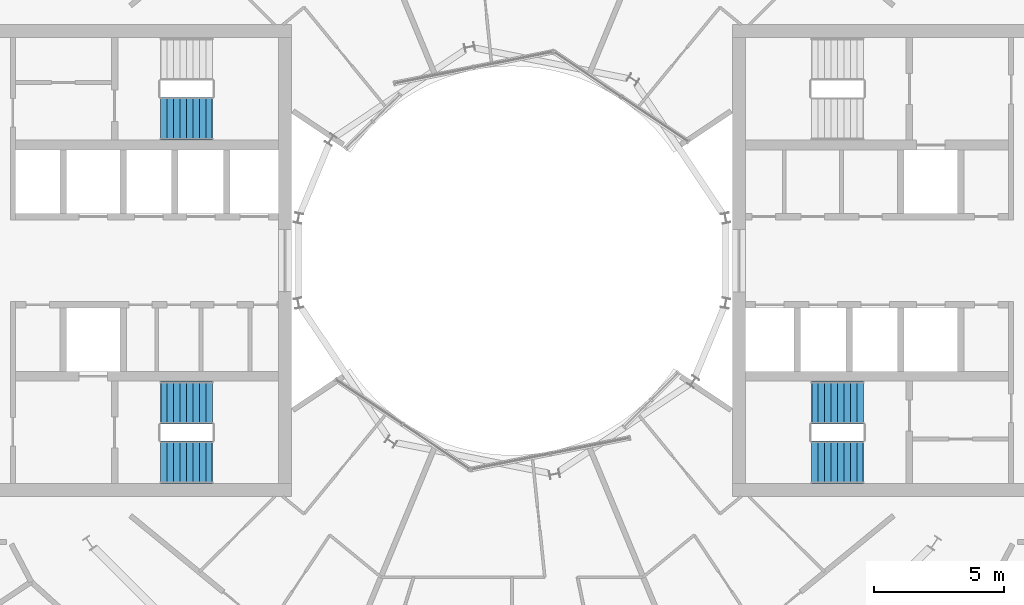
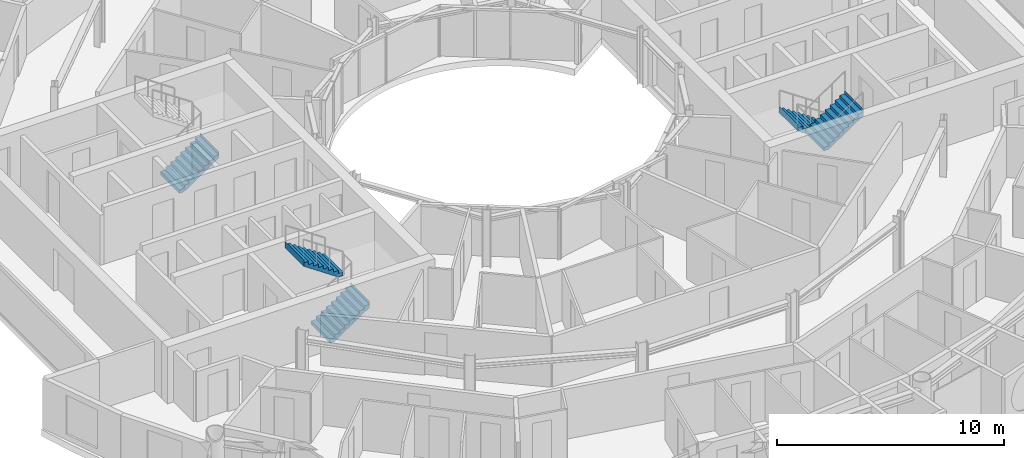
# One storey, part 25 of 28: 5 stair flights, 3 elements without a shape of their own.
"""IFC4 building model written with IfcOpenShell, lengths in metres."""

from ifc_helpers import new_model, si_unit, direction, frame, origin, place, context, subcontext, project, spatial, triangles, material, type_object, element, aggregate, save


model = new_model("IFC4")

# Units and contexts
model_context = context("Model", 3, precision=1e-05, world=origin(), true_north=direction((0.0, 1.0)))
body_context = subcontext(model_context, "Body", "Model", "MODEL_VIEW")
ifc_project = project(units=[si_unit("LENGTHUNIT", "METRE"), si_unit("AREAUNIT", "SQUARE_METRE"), si_unit("VOLUMEUNIT", "CUBIC_METRE"), si_unit("PLANEANGLEUNIT", "RADIAN"), si_unit("MASSUNIT", "GRAM", prefix="KILO")], contexts=[model_context])

# Site, building, storey
site_placement = place(None, origin())
site = spatial("IfcSite", under=ifc_project, at=site_placement, CompositionType="ELEMENT")
building_placement = place(site_placement, origin())
building = spatial("IfcBuilding", under=site, at=building_placement, Name="Maasbend Ring Residences", CompositionType="ELEMENT")
storey_placement = place(building_placement, frame((0.0, 0.0, 173.800048828125)))
storey = spatial("IfcBuildingStorey", under=building, at=storey_placement, Name="L50", CompositionType="ELEMENT", Elevation=173.800048828125)

# Stair, stair flights
ifc_material_1 = material(Name="Concrete C40/50", Category="concrete")
stair_type = type_object("IfcStairType", Name="CORE STAIR 18 RISERS", PredefinedType="HALF_TURN_STAIR", material=ifc_material_1)
stair_1_placement = place(storey_placement, origin())
stair_1 = element("IfcStair", 1, at=stair_1_placement, inside=storey, type_object=stair_type, Name="L50 Exit stair ST-E2", PredefinedType="HALF_TURN_STAIR")
ifc_material_2 = material(Name="Concrete C40/50", Category="concrete")
stair_flight_type = type_object("IfcStairFlightType", Name="CORE STAIR FLIGHT 1650", PredefinedType="STRAIGHT", material=ifc_material_2)
stair_flight_1_placement = place(storey_placement, frame((13.550048828125, -5.47509765625, 0.0), z_axis=(0.0, 0.0, 1.0), x_axis=(-1.0, 0.0, 0.0)))
stair_flight_1 = element("IfcStairFlight", 2, at=stair_flight_1_placement, type_object=stair_flight_type, Name="ST-E2 flight 1", NumberOfRisers=9, NumberOfTreads=8, PredefinedType="STRAIGHT", RiserHeight=0.169444444, TreadLength=0.25, context=body_context, shape_type="Tessellation", body=[
    triangles([(0.24072265625, 0.824951171875, -0.02001953125), (2.0029296875, 0.824951171875, 1.174560546875), (2.0029296875, 0.824951171875, 1.52490234375), (1.989990234375, 0.824951171875, 1.35546875), (1.75, 0.824951171875, 1.35546875), (1.75, 0.824951171875, 1.18603515625), (1.5, 0.824951171875, 1.18603515625), (1.5, 0.824951171875, 1.0166015625), (1.25, 0.824951171875, 1.0166015625), (1.25, 0.824951171875, 0.84716796875), (1.0, 0.824951171875, 0.84716796875), (1.0, 0.824951171875, 0.677734375), (0.75, 0.824951171875, 0.677734375), (0.75, 0.824951171875, 0.50830078125), (0.5, 0.824951171875, 0.50830078125), (0.5, 0.824951171875, 0.3388671875), (0.25, 0.824951171875, 0.3388671875), (0.25, 0.824951171875, 0.16943359375), (0.0, 0.824951171875, 0.16943359375), (0.0, 0.824951171875, 0.0), (-0.0029296875, 0.824951171875, 0.0), (-0.0029296875, 0.824951171875, -0.02001953125), (0.24072265625, 0.27490234375, -0.02001953125), (2.0029296875, 0.27490234375, 1.174560546875), (2.0029296875, 0.27490234375, 1.52490234375), (1.989990234375, 0.27490234375, 1.35546875), (1.75, 0.27490234375, 1.35546875), (1.75, 0.27490234375, 1.18603515625), (1.5, 0.27490234375, 1.18603515625), (1.5, 0.27490234375, 1.0166015625), (1.25, 0.27490234375, 1.0166015625), (1.25, 0.27490234375, 0.84716796875), (1.0, 0.27490234375, 0.84716796875), (1.0, 0.27490234375, 0.677734375), (0.75, 0.27490234375, 0.677734375), (0.75, 0.27490234375, 0.50830078125), (0.5, 0.27490234375, 0.50830078125), (0.5, 0.27490234375, 0.3388671875), (0.25, 0.27490234375, 0.3388671875), (0.25, 0.27490234375, 0.16943359375), (0.0, 0.27490234375, 0.16943359375), (0.0, 0.27490234375, 0.0), (-0.0029296875, 0.27490234375, 0.0), (-0.0029296875, 0.27490234375, -0.02001953125), (0.24072265625, -0.27490234375, -0.02001953125), (2.0029296875, -0.27490234375, 1.174560546875), (2.0029296875, -0.27490234375, 1.52490234375), (1.989990234375, -0.27490234375, 1.35546875), (1.75, -0.27490234375, 1.35546875), (1.75, -0.27490234375, 1.18603515625), (1.5, -0.27490234375, 1.18603515625), (1.5, -0.27490234375, 1.0166015625), (1.25, -0.27490234375, 1.0166015625), (1.25, -0.27490234375, 0.84716796875), (1.0, -0.27490234375, 0.84716796875), (1.0, -0.27490234375, 0.677734375), (0.75, -0.27490234375, 0.677734375), (0.75, -0.27490234375, 0.50830078125), (0.5, -0.27490234375, 0.50830078125), (0.5, -0.27490234375, 0.3388671875), (0.25, -0.27490234375, 0.3388671875), (0.25, -0.27490234375, 0.16943359375), (0.0, -0.27490234375, 0.16943359375), (0.0, -0.27490234375, 0.0), (-0.0029296875, -0.27490234375, 0.0), (-0.0029296875, -0.27490234375, -0.02001953125), (0.24072265625, -0.824951171875, -0.02001953125), (2.0029296875, -0.824951171875, 1.174560546875), (2.0029296875, -0.824951171875, 1.52490234375), (1.989990234375, -0.824951171875, 1.35546875), (1.75, -0.824951171875, 1.35546875), (1.75, -0.824951171875, 1.18603515625), (1.5, -0.824951171875, 1.18603515625), (1.5, -0.824951171875, 1.0166015625), (1.25, -0.824951171875, 1.0166015625), (1.25, -0.824951171875, 0.84716796875), (1.0, -0.824951171875, 0.84716796875), (1.0, -0.824951171875, 0.677734375), (0.75, -0.824951171875, 0.677734375), (0.75, -0.824951171875, 0.50830078125), (0.5, -0.824951171875, 0.50830078125), (0.5, -0.824951171875, 0.3388671875), (0.25, -0.824951171875, 0.3388671875), (0.25, -0.824951171875, 0.16943359375), (0.0, -0.824951171875, 0.16943359375), (0.0, -0.824951171875, 0.0), (-0.0029296875, -0.824951171875, 0.0), (-0.0029296875, -0.824951171875, -0.02001953125)], [[1, 2, 24], [1, 24, 23], [23, 24, 46], [23, 46, 45], [45, 46, 68], [45, 68, 67], [2, 3, 25], [2, 25, 24], [24, 25, 47], [24, 47, 46], [46, 47, 69], [46, 69, 68], [3, 4, 26], [3, 26, 25], [25, 26, 48], [25, 48, 47], [47, 48, 70], [47, 70, 69], [4, 5, 27], [4, 27, 26], [26, 27, 49], [26, 49, 48], [48, 49, 71], [48, 71, 70], [5, 6, 28], [5, 28, 27], [27, 28, 50], [27, 50, 49], [49, 50, 72], [49, 72, 71], [6, 7, 29], [6, 29, 28], [28, 29, 51], [28, 51, 50], [50, 51, 73], [50, 73, 72], [7, 8, 30], [7, 30, 29], [29, 30, 52], [29, 52, 51], [51, 52, 74], [51, 74, 73], [8, 9, 31], [8, 31, 30], [30, 31, 53], [30, 53, 52], [52, 53, 75], [52, 75, 74], [9, 10, 32], [9, 32, 31], [31, 32, 54], [31, 54, 53], [53, 54, 76], [53, 76, 75], [10, 11, 33], [10, 33, 32], [32, 33, 55], [32, 55, 54], [54, 55, 77], [54, 77, 76], [11, 12, 34], [11, 34, 33], [33, 34, 56], [33, 56, 55], [55, 56, 78], [55, 78, 77], [12, 13, 35], [12, 35, 34], [34, 35, 57], [34, 57, 56], [56, 57, 79], [56, 79, 78], [13, 14, 36], [13, 36, 35], [35, 36, 58], [35, 58, 57], [57, 58, 80], [57, 80, 79], [14, 15, 37], [14, 37, 36], [36, 37, 59], [36, 59, 58], [58, 59, 81], [58, 81, 80], [15, 16, 38], [15, 38, 37], [37, 38, 60], [37, 60, 59], [59, 60, 82], [59, 82, 81], [16, 17, 39], [16, 39, 38], [38, 39, 61], [38, 61, 60], [60, 61, 83], [60, 83, 82], [17, 18, 40], [17, 40, 39], [39, 40, 62], [39, 62, 61], [61, 62, 84], [61, 84, 83], [18, 19, 41], [18, 41, 40], [40, 41, 63], [40, 63, 62], [62, 63, 85], [62, 85, 84], [19, 20, 42], [19, 42, 41], [41, 42, 64], [41, 64, 63], [63, 64, 86], [63, 86, 85], [20, 21, 43], [20, 43, 42], [42, 43, 65], [42, 65, 64], [64, 65, 87], [64, 87, 86], [21, 22, 44], [21, 44, 43], [43, 44, 66], [43, 66, 65], [65, 66, 88], [65, 88, 87], [22, 1, 23], [22, 23, 44], [44, 23, 45], [44, 45, 66], [66, 45, 67], [66, 67, 88], [22, 2, 1], [2, 4, 3], [2, 5, 4], [2, 6, 5], [22, 6, 2], [6, 8, 7], [22, 8, 6], [8, 10, 9], [22, 10, 8], [10, 12, 11], [22, 12, 10], [12, 14, 13], [22, 14, 12], [14, 16, 15], [22, 16, 14], [16, 18, 17], [22, 18, 16], [18, 20, 19], [22, 20, 18], [20, 22, 21], [88, 67, 68], [68, 69, 70], [68, 70, 71], [68, 71, 72], [88, 68, 72], [72, 73, 74], [88, 72, 74], [74, 75, 76], [88, 74, 76], [76, 77, 78], [88, 76, 78], [78, 79, 80], [88, 78, 80], [80, 81, 82], [88, 80, 82], [82, 83, 84], [88, 82, 84], [84, 85, 86], [88, 84, 86], [86, 87, 88]], closed=True),
])
stair_flight_2_placement = place(storey_placement, frame((11.550048828125, -7.77490234375, 1.52490234375), z_axis=(0.0, 0.0, 1.0), x_axis=(1.0, 0.0, 0.0)))
stair_flight_2 = element("IfcStairFlight", 3, at=stair_flight_2_placement, type_object=stair_flight_type, Name="ST-E2 flight 2", NumberOfRisers=9, NumberOfTreads=8, PredefinedType="STRAIGHT", RiserHeight=0.169444444, TreadLength=0.25, context=body_context, shape_type="Tessellation", body=[
    triangles([(0.24072265625, 0.824951171875, -0.02001953125), (2.0029296875, 0.824951171875, 1.174560546875), (2.0029296875, 0.824951171875, 1.52490234375), (1.989990234375, 0.824951171875, 1.35546875), (1.75, 0.824951171875, 1.35546875), (1.75, 0.824951171875, 1.18603515625), (1.5, 0.824951171875, 1.18603515625), (1.5, 0.824951171875, 1.0166015625), (1.25, 0.824951171875, 1.0166015625), (1.25, 0.824951171875, 0.84716796875), (1.0, 0.824951171875, 0.84716796875), (1.0, 0.824951171875, 0.677734375), (0.75, 0.824951171875, 0.677734375), (0.75, 0.824951171875, 0.50830078125), (0.5, 0.824951171875, 0.50830078125), (0.5, 0.824951171875, 0.3388671875), (0.25, 0.824951171875, 0.3388671875), (0.25, 0.824951171875, 0.16943359375), (0.0, 0.824951171875, 0.16943359375), (0.0, 0.824951171875, 0.0), (-0.0029296875, 0.824951171875, 0.0), (-0.0029296875, 0.824951171875, -0.02001953125), (0.24072265625, 0.27490234375, -0.02001953125), (2.0029296875, 0.27490234375, 1.174560546875), (2.0029296875, 0.27490234375, 1.52490234375), (1.989990234375, 0.27490234375, 1.35546875), (1.75, 0.27490234375, 1.35546875), (1.75, 0.27490234375, 1.18603515625), (1.5, 0.27490234375, 1.18603515625), (1.5, 0.27490234375, 1.0166015625), (1.25, 0.27490234375, 1.0166015625), (1.25, 0.27490234375, 0.84716796875), (1.0, 0.27490234375, 0.84716796875), (1.0, 0.27490234375, 0.677734375), (0.75, 0.27490234375, 0.677734375), (0.75, 0.27490234375, 0.50830078125), (0.5, 0.27490234375, 0.50830078125), (0.5, 0.27490234375, 0.3388671875), (0.25, 0.27490234375, 0.3388671875), (0.25, 0.27490234375, 0.16943359375), (0.0, 0.27490234375, 0.16943359375), (0.0, 0.27490234375, 0.0), (-0.0029296875, 0.27490234375, 0.0), (-0.0029296875, 0.27490234375, -0.02001953125), (0.24072265625, -0.27490234375, -0.02001953125), (2.0029296875, -0.27490234375, 1.174560546875), (2.0029296875, -0.27490234375, 1.52490234375), (1.989990234375, -0.27490234375, 1.35546875), (1.75, -0.27490234375, 1.35546875), (1.75, -0.27490234375, 1.18603515625), (1.5, -0.27490234375, 1.18603515625), (1.5, -0.27490234375, 1.0166015625), (1.25, -0.27490234375, 1.0166015625), (1.25, -0.27490234375, 0.84716796875), (1.0, -0.27490234375, 0.84716796875), (1.0, -0.27490234375, 0.677734375), (0.75, -0.27490234375, 0.677734375), (0.75, -0.27490234375, 0.50830078125), (0.5, -0.27490234375, 0.50830078125), (0.5, -0.27490234375, 0.3388671875), (0.25, -0.27490234375, 0.3388671875), (0.25, -0.27490234375, 0.16943359375), (0.0, -0.27490234375, 0.16943359375), (0.0, -0.27490234375, 0.0), (-0.0029296875, -0.27490234375, 0.0), (-0.0029296875, -0.27490234375, -0.02001953125), (0.24072265625, -0.824951171875, -0.02001953125), (2.0029296875, -0.824951171875, 1.174560546875), (2.0029296875, -0.824951171875, 1.52490234375), (1.989990234375, -0.824951171875, 1.35546875), (1.75, -0.824951171875, 1.35546875), (1.75, -0.824951171875, 1.18603515625), (1.5, -0.824951171875, 1.18603515625), (1.5, -0.824951171875, 1.0166015625), (1.25, -0.824951171875, 1.0166015625), (1.25, -0.824951171875, 0.84716796875), (1.0, -0.824951171875, 0.84716796875), (1.0, -0.824951171875, 0.677734375), (0.75, -0.824951171875, 0.677734375), (0.75, -0.824951171875, 0.50830078125), (0.5, -0.824951171875, 0.50830078125), (0.5, -0.824951171875, 0.3388671875), (0.25, -0.824951171875, 0.3388671875), (0.25, -0.824951171875, 0.16943359375), (0.0, -0.824951171875, 0.16943359375), (0.0, -0.824951171875, 0.0), (-0.0029296875, -0.824951171875, 0.0), (-0.0029296875, -0.824951171875, -0.02001953125)], [[1, 2, 24], [1, 24, 23], [23, 24, 46], [23, 46, 45], [45, 46, 68], [45, 68, 67], [2, 3, 25], [2, 25, 24], [24, 25, 47], [24, 47, 46], [46, 47, 69], [46, 69, 68], [3, 4, 26], [3, 26, 25], [25, 26, 48], [25, 48, 47], [47, 48, 70], [47, 70, 69], [4, 5, 27], [4, 27, 26], [26, 27, 49], [26, 49, 48], [48, 49, 71], [48, 71, 70], [5, 6, 28], [5, 28, 27], [27, 28, 50], [27, 50, 49], [49, 50, 72], [49, 72, 71], [6, 7, 29], [6, 29, 28], [28, 29, 51], [28, 51, 50], [50, 51, 73], [50, 73, 72], [7, 8, 30], [7, 30, 29], [29, 30, 52], [29, 52, 51], [51, 52, 74], [51, 74, 73], [8, 9, 31], [8, 31, 30], [30, 31, 53], [30, 53, 52], [52, 53, 75], [52, 75, 74], [9, 10, 32], [9, 32, 31], [31, 32, 54], [31, 54, 53], [53, 54, 76], [53, 76, 75], [10, 11, 33], [10, 33, 32], [32, 33, 55], [32, 55, 54], [54, 55, 77], [54, 77, 76], [11, 12, 34], [11, 34, 33], [33, 34, 56], [33, 56, 55], [55, 56, 78], [55, 78, 77], [12, 13, 35], [12, 35, 34], [34, 35, 57], [34, 57, 56], [56, 57, 79], [56, 79, 78], [13, 14, 36], [13, 36, 35], [35, 36, 58], [35, 58, 57], [57, 58, 80], [57, 80, 79], [14, 15, 37], [14, 37, 36], [36, 37, 59], [36, 59, 58], [58, 59, 81], [58, 81, 80], [15, 16, 38], [15, 38, 37], [37, 38, 60], [37, 60, 59], [59, 60, 82], [59, 82, 81], [16, 17, 39], [16, 39, 38], [38, 39, 61], [38, 61, 60], [60, 61, 83], [60, 83, 82], [17, 18, 40], [17, 40, 39], [39, 40, 62], [39, 62, 61], [61, 62, 84], [61, 84, 83], [18, 19, 41], [18, 41, 40], [40, 41, 63], [40, 63, 62], [62, 63, 85], [62, 85, 84], [19, 20, 42], [19, 42, 41], [41, 42, 64], [41, 64, 63], [63, 64, 86], [63, 86, 85], [20, 21, 43], [20, 43, 42], [42, 43, 65], [42, 65, 64], [64, 65, 87], [64, 87, 86], [21, 22, 44], [21, 44, 43], [43, 44, 66], [43, 66, 65], [65, 66, 88], [65, 88, 87], [22, 1, 23], [22, 23, 44], [44, 23, 45], [44, 45, 66], [66, 45, 67], [66, 67, 88], [22, 2, 1], [2, 4, 3], [2, 5, 4], [2, 6, 5], [22, 6, 2], [6, 8, 7], [22, 8, 6], [8, 10, 9], [22, 10, 8], [10, 12, 11], [22, 12, 10], [12, 14, 13], [22, 14, 12], [14, 16, 15], [22, 16, 14], [16, 18, 17], [22, 18, 16], [18, 20, 19], [22, 20, 18], [20, 22, 21], [88, 67, 68], [68, 69, 70], [68, 70, 71], [68, 71, 72], [88, 68, 72], [72, 73, 74], [88, 72, 74], [74, 75, 76], [88, 74, 76], [76, 77, 78], [88, 76, 78], [78, 79, 80], [88, 78, 80], [80, 81, 82], [88, 80, 82], [82, 83, 84], [88, 82, 84], [84, 85, 86], [88, 84, 86], [86, 87, 88]], closed=True),
])
aggregate(stair_1, [stair_flight_1, stair_flight_2])

stair_2_placement = place(storey_placement, origin())
stair_2 = element("IfcStair", 4, at=stair_2_placement, inside=storey, type_object=stair_type, Name="L50 Exit stair ST-W1", PredefinedType="HALF_TURN_STAIR")
stair_flight_3_placement = place(storey_placement, frame((-13.550048828125, -7.77490234375, 0.0), z_axis=(0.0, 0.0, 1.0), x_axis=(1.0, 0.0, 0.0)))
stair_flight_3 = element("IfcStairFlight", 5, at=stair_flight_3_placement, type_object=stair_flight_type, Name="ST-W1 flight 1", NumberOfRisers=9, NumberOfTreads=8, PredefinedType="STRAIGHT", RiserHeight=0.169444444, TreadLength=0.25, context=body_context, shape_type="Tessellation", body=[
    triangles([(0.24072265625, 0.824951171875, -0.02001953125), (2.0029296875, 0.824951171875, 1.174560546875), (2.0029296875, 0.824951171875, 1.52490234375), (1.989990234375, 0.824951171875, 1.35546875), (1.75, 0.824951171875, 1.35546875), (1.75, 0.824951171875, 1.18603515625), (1.5, 0.824951171875, 1.18603515625), (1.5, 0.824951171875, 1.0166015625), (1.25, 0.824951171875, 1.0166015625), (1.25, 0.824951171875, 0.84716796875), (1.0, 0.824951171875, 0.84716796875), (1.0, 0.824951171875, 0.677734375), (0.75, 0.824951171875, 0.677734375), (0.75, 0.824951171875, 0.50830078125), (0.5, 0.824951171875, 0.50830078125), (0.5, 0.824951171875, 0.3388671875), (0.25, 0.824951171875, 0.3388671875), (0.25, 0.824951171875, 0.16943359375), (0.0, 0.824951171875, 0.16943359375), (0.0, 0.824951171875, 0.0), (-0.0029296875, 0.824951171875, 0.0), (-0.0029296875, 0.824951171875, -0.02001953125), (0.24072265625, 0.27490234375, -0.02001953125), (2.0029296875, 0.27490234375, 1.174560546875), (2.0029296875, 0.27490234375, 1.52490234375), (1.989990234375, 0.27490234375, 1.35546875), (1.75, 0.27490234375, 1.35546875), (1.75, 0.27490234375, 1.18603515625), (1.5, 0.27490234375, 1.18603515625), (1.5, 0.27490234375, 1.0166015625), (1.25, 0.27490234375, 1.0166015625), (1.25, 0.27490234375, 0.84716796875), (1.0, 0.27490234375, 0.84716796875), (1.0, 0.27490234375, 0.677734375), (0.75, 0.27490234375, 0.677734375), (0.75, 0.27490234375, 0.50830078125), (0.5, 0.27490234375, 0.50830078125), (0.5, 0.27490234375, 0.3388671875), (0.25, 0.27490234375, 0.3388671875), (0.25, 0.27490234375, 0.16943359375), (0.0, 0.27490234375, 0.16943359375), (0.0, 0.27490234375, 0.0), (-0.0029296875, 0.27490234375, 0.0), (-0.0029296875, 0.27490234375, -0.02001953125), (0.24072265625, -0.27490234375, -0.02001953125), (2.0029296875, -0.27490234375, 1.174560546875), (2.0029296875, -0.27490234375, 1.52490234375), (1.989990234375, -0.27490234375, 1.35546875), (1.75, -0.27490234375, 1.35546875), (1.75, -0.27490234375, 1.18603515625), (1.5, -0.27490234375, 1.18603515625), (1.5, -0.27490234375, 1.0166015625), (1.25, -0.27490234375, 1.0166015625), (1.25, -0.27490234375, 0.84716796875), (1.0, -0.27490234375, 0.84716796875), (1.0, -0.27490234375, 0.677734375), (0.75, -0.27490234375, 0.677734375), (0.75, -0.27490234375, 0.50830078125), (0.5, -0.27490234375, 0.50830078125), (0.5, -0.27490234375, 0.3388671875), (0.25, -0.27490234375, 0.3388671875), (0.25, -0.27490234375, 0.16943359375), (0.0, -0.27490234375, 0.16943359375), (0.0, -0.27490234375, 0.0), (-0.0029296875, -0.27490234375, 0.0), (-0.0029296875, -0.27490234375, -0.02001953125), (0.24072265625, -0.824951171875, -0.02001953125), (2.0029296875, -0.824951171875, 1.174560546875), (2.0029296875, -0.824951171875, 1.52490234375), (1.989990234375, -0.824951171875, 1.35546875), (1.75, -0.824951171875, 1.35546875), (1.75, -0.824951171875, 1.18603515625), (1.5, -0.824951171875, 1.18603515625), (1.5, -0.824951171875, 1.0166015625), (1.25, -0.824951171875, 1.0166015625), (1.25, -0.824951171875, 0.84716796875), (1.0, -0.824951171875, 0.84716796875), (1.0, -0.824951171875, 0.677734375), (0.75, -0.824951171875, 0.677734375), (0.75, -0.824951171875, 0.50830078125), (0.5, -0.824951171875, 0.50830078125), (0.5, -0.824951171875, 0.3388671875), (0.25, -0.824951171875, 0.3388671875), (0.25, -0.824951171875, 0.16943359375), (0.0, -0.824951171875, 0.16943359375), (0.0, -0.824951171875, 0.0), (-0.0029296875, -0.824951171875, 0.0), (-0.0029296875, -0.824951171875, -0.02001953125)], [[1, 2, 24], [1, 24, 23], [23, 24, 46], [23, 46, 45], [45, 46, 68], [45, 68, 67], [2, 3, 25], [2, 25, 24], [24, 25, 47], [24, 47, 46], [46, 47, 69], [46, 69, 68], [3, 4, 26], [3, 26, 25], [25, 26, 48], [25, 48, 47], [47, 48, 70], [47, 70, 69], [4, 5, 27], [4, 27, 26], [26, 27, 49], [26, 49, 48], [48, 49, 71], [48, 71, 70], [5, 6, 28], [5, 28, 27], [27, 28, 50], [27, 50, 49], [49, 50, 72], [49, 72, 71], [6, 7, 29], [6, 29, 28], [28, 29, 51], [28, 51, 50], [50, 51, 73], [50, 73, 72], [7, 8, 30], [7, 30, 29], [29, 30, 52], [29, 52, 51], [51, 52, 74], [51, 74, 73], [8, 9, 31], [8, 31, 30], [30, 31, 53], [30, 53, 52], [52, 53, 75], [52, 75, 74], [9, 10, 32], [9, 32, 31], [31, 32, 54], [31, 54, 53], [53, 54, 76], [53, 76, 75], [10, 11, 33], [10, 33, 32], [32, 33, 55], [32, 55, 54], [54, 55, 77], [54, 77, 76], [11, 12, 34], [11, 34, 33], [33, 34, 56], [33, 56, 55], [55, 56, 78], [55, 78, 77], [12, 13, 35], [12, 35, 34], [34, 35, 57], [34, 57, 56], [56, 57, 79], [56, 79, 78], [13, 14, 36], [13, 36, 35], [35, 36, 58], [35, 58, 57], [57, 58, 80], [57, 80, 79], [14, 15, 37], [14, 37, 36], [36, 37, 59], [36, 59, 58], [58, 59, 81], [58, 81, 80], [15, 16, 38], [15, 38, 37], [37, 38, 60], [37, 60, 59], [59, 60, 82], [59, 82, 81], [16, 17, 39], [16, 39, 38], [38, 39, 61], [38, 61, 60], [60, 61, 83], [60, 83, 82], [17, 18, 40], [17, 40, 39], [39, 40, 62], [39, 62, 61], [61, 62, 84], [61, 84, 83], [18, 19, 41], [18, 41, 40], [40, 41, 63], [40, 63, 62], [62, 63, 85], [62, 85, 84], [19, 20, 42], [19, 42, 41], [41, 42, 64], [41, 64, 63], [63, 64, 86], [63, 86, 85], [20, 21, 43], [20, 43, 42], [42, 43, 65], [42, 65, 64], [64, 65, 87], [64, 87, 86], [21, 22, 44], [21, 44, 43], [43, 44, 66], [43, 66, 65], [65, 66, 88], [65, 88, 87], [22, 1, 23], [22, 23, 44], [44, 23, 45], [44, 45, 66], [66, 45, 67], [66, 67, 88], [22, 2, 1], [2, 4, 3], [2, 5, 4], [2, 6, 5], [22, 6, 2], [6, 8, 7], [22, 8, 6], [8, 10, 9], [22, 10, 8], [10, 12, 11], [22, 12, 10], [12, 14, 13], [22, 14, 12], [14, 16, 15], [22, 16, 14], [16, 18, 17], [22, 18, 16], [18, 20, 19], [22, 20, 18], [20, 22, 21], [88, 67, 68], [68, 69, 70], [68, 70, 71], [68, 71, 72], [88, 68, 72], [72, 73, 74], [88, 72, 74], [74, 75, 76], [88, 74, 76], [76, 77, 78], [88, 76, 78], [78, 79, 80], [88, 78, 80], [80, 81, 82], [88, 80, 82], [82, 83, 84], [88, 82, 84], [84, 85, 86], [88, 84, 86], [86, 87, 88]], closed=True),
])
stair_flight_4_placement = place(storey_placement, frame((-11.550048828125, -5.47509765625, 1.52490234375), z_axis=(0.0, 0.0, 1.0), x_axis=(-1.0, 0.0, 0.0)))
stair_flight_4 = element("IfcStairFlight", 6, at=stair_flight_4_placement, type_object=stair_flight_type, Name="ST-W1 flight 2", NumberOfRisers=9, NumberOfTreads=8, PredefinedType="STRAIGHT", RiserHeight=0.169444444, TreadLength=0.25, context=body_context, shape_type="Tessellation", body=[
    triangles([(0.24072265625, 0.824951171875, -0.02001953125), (2.0029296875, 0.824951171875, 1.174560546875), (2.0029296875, 0.824951171875, 1.52490234375), (1.989990234375, 0.824951171875, 1.35546875), (1.75, 0.824951171875, 1.35546875), (1.75, 0.824951171875, 1.18603515625), (1.5, 0.824951171875, 1.18603515625), (1.5, 0.824951171875, 1.0166015625), (1.25, 0.824951171875, 1.0166015625), (1.25, 0.824951171875, 0.84716796875), (1.0, 0.824951171875, 0.84716796875), (1.0, 0.824951171875, 0.677734375), (0.75, 0.824951171875, 0.677734375), (0.75, 0.824951171875, 0.50830078125), (0.5, 0.824951171875, 0.50830078125), (0.5, 0.824951171875, 0.3388671875), (0.25, 0.824951171875, 0.3388671875), (0.25, 0.824951171875, 0.16943359375), (0.0, 0.824951171875, 0.16943359375), (0.0, 0.824951171875, 0.0), (-0.0029296875, 0.824951171875, 0.0), (-0.0029296875, 0.824951171875, -0.02001953125), (0.24072265625, 0.27490234375, -0.02001953125), (2.0029296875, 0.27490234375, 1.174560546875), (2.0029296875, 0.27490234375, 1.52490234375), (1.989990234375, 0.27490234375, 1.35546875), (1.75, 0.27490234375, 1.35546875), (1.75, 0.27490234375, 1.18603515625), (1.5, 0.27490234375, 1.18603515625), (1.5, 0.27490234375, 1.0166015625), (1.25, 0.27490234375, 1.0166015625), (1.25, 0.27490234375, 0.84716796875), (1.0, 0.27490234375, 0.84716796875), (1.0, 0.27490234375, 0.677734375), (0.75, 0.27490234375, 0.677734375), (0.75, 0.27490234375, 0.50830078125), (0.5, 0.27490234375, 0.50830078125), (0.5, 0.27490234375, 0.3388671875), (0.25, 0.27490234375, 0.3388671875), (0.25, 0.27490234375, 0.16943359375), (0.0, 0.27490234375, 0.16943359375), (0.0, 0.27490234375, 0.0), (-0.0029296875, 0.27490234375, 0.0), (-0.0029296875, 0.27490234375, -0.02001953125), (0.24072265625, -0.27490234375, -0.02001953125), (2.0029296875, -0.27490234375, 1.174560546875), (2.0029296875, -0.27490234375, 1.52490234375), (1.989990234375, -0.27490234375, 1.35546875), (1.75, -0.27490234375, 1.35546875), (1.75, -0.27490234375, 1.18603515625), (1.5, -0.27490234375, 1.18603515625), (1.5, -0.27490234375, 1.0166015625), (1.25, -0.27490234375, 1.0166015625), (1.25, -0.27490234375, 0.84716796875), (1.0, -0.27490234375, 0.84716796875), (1.0, -0.27490234375, 0.677734375), (0.75, -0.27490234375, 0.677734375), (0.75, -0.27490234375, 0.50830078125), (0.5, -0.27490234375, 0.50830078125), (0.5, -0.27490234375, 0.3388671875), (0.25, -0.27490234375, 0.3388671875), (0.25, -0.27490234375, 0.16943359375), (0.0, -0.27490234375, 0.16943359375), (0.0, -0.27490234375, 0.0), (-0.0029296875, -0.27490234375, 0.0), (-0.0029296875, -0.27490234375, -0.02001953125), (0.24072265625, -0.824951171875, -0.02001953125), (2.0029296875, -0.824951171875, 1.174560546875), (2.0029296875, -0.824951171875, 1.52490234375), (1.989990234375, -0.824951171875, 1.35546875), (1.75, -0.824951171875, 1.35546875), (1.75, -0.824951171875, 1.18603515625), (1.5, -0.824951171875, 1.18603515625), (1.5, -0.824951171875, 1.0166015625), (1.25, -0.824951171875, 1.0166015625), (1.25, -0.824951171875, 0.84716796875), (1.0, -0.824951171875, 0.84716796875), (1.0, -0.824951171875, 0.677734375), (0.75, -0.824951171875, 0.677734375), (0.75, -0.824951171875, 0.50830078125), (0.5, -0.824951171875, 0.50830078125), (0.5, -0.824951171875, 0.3388671875), (0.25, -0.824951171875, 0.3388671875), (0.25, -0.824951171875, 0.16943359375), (0.0, -0.824951171875, 0.16943359375), (0.0, -0.824951171875, 0.0), (-0.0029296875, -0.824951171875, 0.0), (-0.0029296875, -0.824951171875, -0.02001953125)], [[1, 2, 24], [1, 24, 23], [23, 24, 46], [23, 46, 45], [45, 46, 68], [45, 68, 67], [2, 3, 25], [2, 25, 24], [24, 25, 47], [24, 47, 46], [46, 47, 69], [46, 69, 68], [3, 4, 26], [3, 26, 25], [25, 26, 48], [25, 48, 47], [47, 48, 70], [47, 70, 69], [4, 5, 27], [4, 27, 26], [26, 27, 49], [26, 49, 48], [48, 49, 71], [48, 71, 70], [5, 6, 28], [5, 28, 27], [27, 28, 50], [27, 50, 49], [49, 50, 72], [49, 72, 71], [6, 7, 29], [6, 29, 28], [28, 29, 51], [28, 51, 50], [50, 51, 73], [50, 73, 72], [7, 8, 30], [7, 30, 29], [29, 30, 52], [29, 52, 51], [51, 52, 74], [51, 74, 73], [8, 9, 31], [8, 31, 30], [30, 31, 53], [30, 53, 52], [52, 53, 75], [52, 75, 74], [9, 10, 32], [9, 32, 31], [31, 32, 54], [31, 54, 53], [53, 54, 76], [53, 76, 75], [10, 11, 33], [10, 33, 32], [32, 33, 55], [32, 55, 54], [54, 55, 77], [54, 77, 76], [11, 12, 34], [11, 34, 33], [33, 34, 56], [33, 56, 55], [55, 56, 78], [55, 78, 77], [12, 13, 35], [12, 35, 34], [34, 35, 57], [34, 57, 56], [56, 57, 79], [56, 79, 78], [13, 14, 36], [13, 36, 35], [35, 36, 58], [35, 58, 57], [57, 58, 80], [57, 80, 79], [14, 15, 37], [14, 37, 36], [36, 37, 59], [36, 59, 58], [58, 59, 81], [58, 81, 80], [15, 16, 38], [15, 38, 37], [37, 38, 60], [37, 60, 59], [59, 60, 82], [59, 82, 81], [16, 17, 39], [16, 39, 38], [38, 39, 61], [38, 61, 60], [60, 61, 83], [60, 83, 82], [17, 18, 40], [17, 40, 39], [39, 40, 62], [39, 62, 61], [61, 62, 84], [61, 84, 83], [18, 19, 41], [18, 41, 40], [40, 41, 63], [40, 63, 62], [62, 63, 85], [62, 85, 84], [19, 20, 42], [19, 42, 41], [41, 42, 64], [41, 64, 63], [63, 64, 86], [63, 86, 85], [20, 21, 43], [20, 43, 42], [42, 43, 65], [42, 65, 64], [64, 65, 87], [64, 87, 86], [21, 22, 44], [21, 44, 43], [43, 44, 66], [43, 66, 65], [65, 66, 88], [65, 88, 87], [22, 1, 23], [22, 23, 44], [44, 23, 45], [44, 45, 66], [66, 45, 67], [66, 67, 88], [22, 2, 1], [2, 4, 3], [2, 5, 4], [2, 6, 5], [22, 6, 2], [6, 8, 7], [22, 8, 6], [8, 10, 9], [22, 10, 8], [10, 12, 11], [22, 12, 10], [12, 14, 13], [22, 14, 12], [14, 16, 15], [22, 16, 14], [16, 18, 17], [22, 18, 16], [18, 20, 19], [22, 20, 18], [20, 22, 21], [88, 67, 68], [68, 69, 70], [68, 70, 71], [68, 71, 72], [88, 68, 72], [72, 73, 74], [88, 72, 74], [74, 75, 76], [88, 74, 76], [76, 77, 78], [88, 76, 78], [78, 79, 80], [88, 78, 80], [80, 81, 82], [88, 80, 82], [82, 83, 84], [88, 82, 84], [84, 85, 86], [88, 84, 86], [86, 87, 88]], closed=True),
])
aggregate(stair_2, [stair_flight_3, stair_flight_4])

# Stair, stair flight
stair_3_placement = place(storey_placement, origin())
stair_3 = element("IfcStair", 7, at=stair_3_placement, inside=storey, type_object=stair_type, Name="L50 Exit stair ST-W2", PredefinedType="HALF_TURN_STAIR")
stair_flight_5_placement = place(storey_placement, frame((-13.550048828125, 5.47509765625, 0.0), z_axis=(0.0, 0.0, 1.0), x_axis=(1.0, 0.0, 0.0)))
stair_flight_5 = element("IfcStairFlight", 8, at=stair_flight_5_placement, type_object=stair_flight_type, Name="ST-W2 flight 1", NumberOfRisers=9, NumberOfTreads=8, PredefinedType="STRAIGHT", RiserHeight=0.169444444, TreadLength=0.25, context=body_context, shape_type="Tessellation", body=[
    triangles([(0.24072265625, 0.824951171875, -0.02001953125), (2.0029296875, 0.824951171875, 1.174560546875), (2.0029296875, 0.824951171875, 1.52490234375), (1.989990234375, 0.824951171875, 1.35546875), (1.75, 0.824951171875, 1.35546875), (1.75, 0.824951171875, 1.18603515625), (1.5, 0.824951171875, 1.18603515625), (1.5, 0.824951171875, 1.0166015625), (1.25, 0.824951171875, 1.0166015625), (1.25, 0.824951171875, 0.84716796875), (1.0, 0.824951171875, 0.84716796875), (1.0, 0.824951171875, 0.677734375), (0.75, 0.824951171875, 0.677734375), (0.75, 0.824951171875, 0.50830078125), (0.5, 0.824951171875, 0.50830078125), (0.5, 0.824951171875, 0.3388671875), (0.25, 0.824951171875, 0.3388671875), (0.25, 0.824951171875, 0.16943359375), (0.0, 0.824951171875, 0.16943359375), (0.0, 0.824951171875, 0.0), (-0.0029296875, 0.824951171875, 0.0), (-0.0029296875, 0.824951171875, -0.02001953125), (0.24072265625, 0.27490234375, -0.02001953125), (2.0029296875, 0.27490234375, 1.174560546875), (2.0029296875, 0.27490234375, 1.52490234375), (1.989990234375, 0.27490234375, 1.35546875), (1.75, 0.27490234375, 1.35546875), (1.75, 0.27490234375, 1.18603515625), (1.5, 0.27490234375, 1.18603515625), (1.5, 0.27490234375, 1.0166015625), (1.25, 0.27490234375, 1.0166015625), (1.25, 0.27490234375, 0.84716796875), (1.0, 0.27490234375, 0.84716796875), (1.0, 0.27490234375, 0.677734375), (0.75, 0.27490234375, 0.677734375), (0.75, 0.27490234375, 0.50830078125), (0.5, 0.27490234375, 0.50830078125), (0.5, 0.27490234375, 0.3388671875), (0.25, 0.27490234375, 0.3388671875), (0.25, 0.27490234375, 0.16943359375), (0.0, 0.27490234375, 0.16943359375), (0.0, 0.27490234375, 0.0), (-0.0029296875, 0.27490234375, 0.0), (-0.0029296875, 0.27490234375, -0.02001953125), (0.24072265625, -0.27490234375, -0.02001953125), (2.0029296875, -0.27490234375, 1.174560546875), (2.0029296875, -0.27490234375, 1.52490234375), (1.989990234375, -0.27490234375, 1.35546875), (1.75, -0.27490234375, 1.35546875), (1.75, -0.27490234375, 1.18603515625), (1.5, -0.27490234375, 1.18603515625), (1.5, -0.27490234375, 1.0166015625), (1.25, -0.27490234375, 1.0166015625), (1.25, -0.27490234375, 0.84716796875), (1.0, -0.27490234375, 0.84716796875), (1.0, -0.27490234375, 0.677734375), (0.75, -0.27490234375, 0.677734375), (0.75, -0.27490234375, 0.50830078125), (0.5, -0.27490234375, 0.50830078125), (0.5, -0.27490234375, 0.3388671875), (0.25, -0.27490234375, 0.3388671875), (0.25, -0.27490234375, 0.16943359375), (0.0, -0.27490234375, 0.16943359375), (0.0, -0.27490234375, 0.0), (-0.0029296875, -0.27490234375, 0.0), (-0.0029296875, -0.27490234375, -0.02001953125), (0.24072265625, -0.824951171875, -0.02001953125), (2.0029296875, -0.824951171875, 1.174560546875), (2.0029296875, -0.824951171875, 1.52490234375), (1.989990234375, -0.824951171875, 1.35546875), (1.75, -0.824951171875, 1.35546875), (1.75, -0.824951171875, 1.18603515625), (1.5, -0.824951171875, 1.18603515625), (1.5, -0.824951171875, 1.0166015625), (1.25, -0.824951171875, 1.0166015625), (1.25, -0.824951171875, 0.84716796875), (1.0, -0.824951171875, 0.84716796875), (1.0, -0.824951171875, 0.677734375), (0.75, -0.824951171875, 0.677734375), (0.75, -0.824951171875, 0.50830078125), (0.5, -0.824951171875, 0.50830078125), (0.5, -0.824951171875, 0.3388671875), (0.25, -0.824951171875, 0.3388671875), (0.25, -0.824951171875, 0.16943359375), (0.0, -0.824951171875, 0.16943359375), (0.0, -0.824951171875, 0.0), (-0.0029296875, -0.824951171875, 0.0), (-0.0029296875, -0.824951171875, -0.02001953125)], [[1, 2, 24], [1, 24, 23], [23, 24, 46], [23, 46, 45], [45, 46, 68], [45, 68, 67], [2, 3, 25], [2, 25, 24], [24, 25, 47], [24, 47, 46], [46, 47, 69], [46, 69, 68], [3, 4, 26], [3, 26, 25], [25, 26, 48], [25, 48, 47], [47, 48, 70], [47, 70, 69], [4, 5, 27], [4, 27, 26], [26, 27, 49], [26, 49, 48], [48, 49, 71], [48, 71, 70], [5, 6, 28], [5, 28, 27], [27, 28, 50], [27, 50, 49], [49, 50, 72], [49, 72, 71], [6, 7, 29], [6, 29, 28], [28, 29, 51], [28, 51, 50], [50, 51, 73], [50, 73, 72], [7, 8, 30], [7, 30, 29], [29, 30, 52], [29, 52, 51], [51, 52, 74], [51, 74, 73], [8, 9, 31], [8, 31, 30], [30, 31, 53], [30, 53, 52], [52, 53, 75], [52, 75, 74], [9, 10, 32], [9, 32, 31], [31, 32, 54], [31, 54, 53], [53, 54, 76], [53, 76, 75], [10, 11, 33], [10, 33, 32], [32, 33, 55], [32, 55, 54], [54, 55, 77], [54, 77, 76], [11, 12, 34], [11, 34, 33], [33, 34, 56], [33, 56, 55], [55, 56, 78], [55, 78, 77], [12, 13, 35], [12, 35, 34], [34, 35, 57], [34, 57, 56], [56, 57, 79], [56, 79, 78], [13, 14, 36], [13, 36, 35], [35, 36, 58], [35, 58, 57], [57, 58, 80], [57, 80, 79], [14, 15, 37], [14, 37, 36], [36, 37, 59], [36, 59, 58], [58, 59, 81], [58, 81, 80], [15, 16, 38], [15, 38, 37], [37, 38, 60], [37, 60, 59], [59, 60, 82], [59, 82, 81], [16, 17, 39], [16, 39, 38], [38, 39, 61], [38, 61, 60], [60, 61, 83], [60, 83, 82], [17, 18, 40], [17, 40, 39], [39, 40, 62], [39, 62, 61], [61, 62, 84], [61, 84, 83], [18, 19, 41], [18, 41, 40], [40, 41, 63], [40, 63, 62], [62, 63, 85], [62, 85, 84], [19, 20, 42], [19, 42, 41], [41, 42, 64], [41, 64, 63], [63, 64, 86], [63, 86, 85], [20, 21, 43], [20, 43, 42], [42, 43, 65], [42, 65, 64], [64, 65, 87], [64, 87, 86], [21, 22, 44], [21, 44, 43], [43, 44, 66], [43, 66, 65], [65, 66, 88], [65, 88, 87], [22, 1, 23], [22, 23, 44], [44, 23, 45], [44, 45, 66], [66, 45, 67], [66, 67, 88], [22, 2, 1], [2, 4, 3], [2, 5, 4], [2, 6, 5], [22, 6, 2], [6, 8, 7], [22, 8, 6], [8, 10, 9], [22, 10, 8], [10, 12, 11], [22, 12, 10], [12, 14, 13], [22, 14, 12], [14, 16, 15], [22, 16, 14], [16, 18, 17], [22, 18, 16], [18, 20, 19], [22, 20, 18], [20, 22, 21], [88, 67, 68], [68, 69, 70], [68, 70, 71], [68, 71, 72], [88, 68, 72], [72, 73, 74], [88, 72, 74], [74, 75, 76], [88, 74, 76], [76, 77, 78], [88, 76, 78], [78, 79, 80], [88, 78, 80], [80, 81, 82], [88, 80, 82], [82, 83, 84], [88, 82, 84], [84, 85, 86], [88, 84, 86], [86, 87, 88]], closed=True),
])
aggregate(stair_3, [stair_flight_5])

save(model, "model.ifc")
